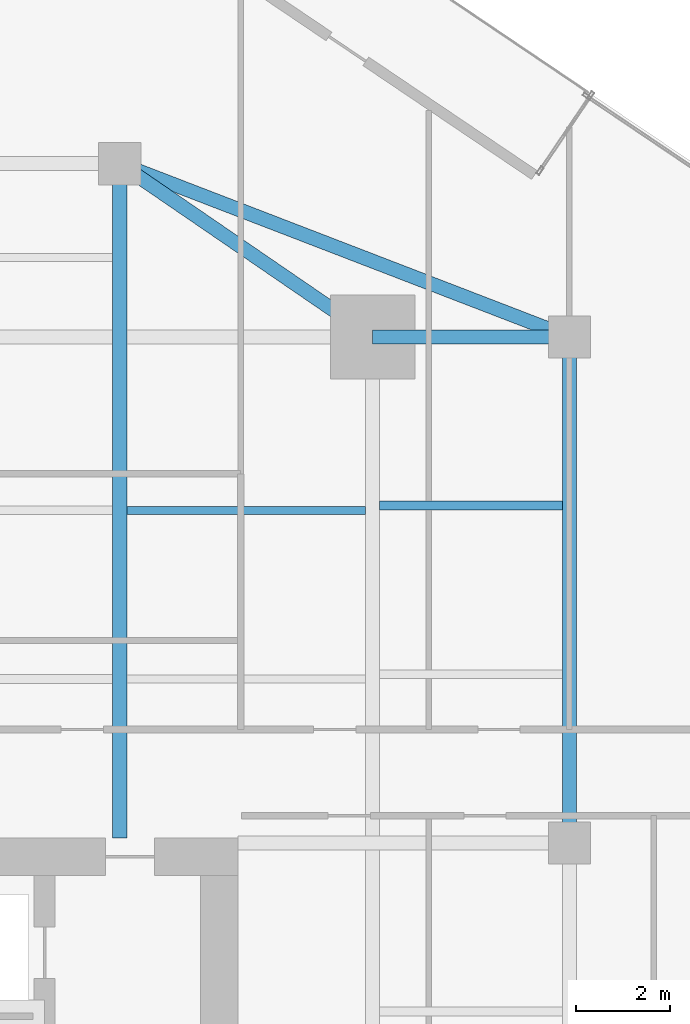
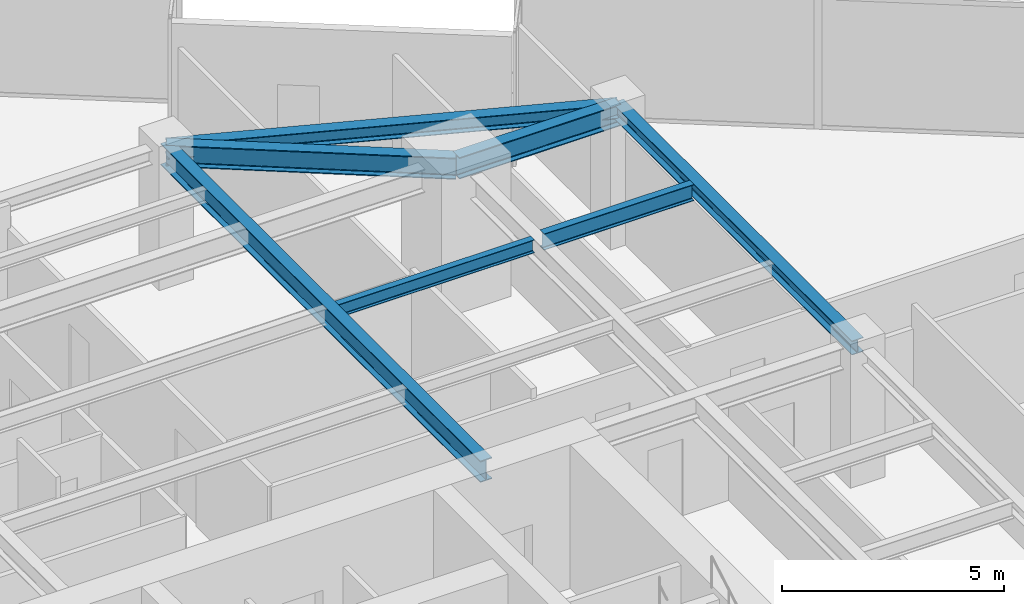
# One storey, part 18 of 27: 7 beams.
"""IFC4 building model written with IfcOpenShell, lengths in metres."""

import ifcopenshell
import ifcopenshell.guid

model = None  # the IFC model being written
_history = None  # IfcOwnerHistory: only IFC2X3 demands one
_inside = {}  # id of a spatial element -> (the spatial element, [elements in it])
_under = {}  # id of a project, library or spatial element -> (it, [spatial elements below it])
_declared = {}  # id of a project -> (the project, [libraries it declares])
_typed = {}  # id of a type object -> (the type object, [elements of that type])
_made_of = {}  # id of a material, layer set ... -> (it, [elements and type objects made of it])


def new_model(schema):
    """Start an empty IFC model of exactly this schema.

    Asked for "IFC4X3", IfcOpenShell would pick the latest addendum, in which some entities
    have other attributes; the version numbers below select the first issue.
    IFC2X3 requires an IfcOwnerHistory on every rooted entity: one is made here for all.
    """
    global model, _history
    if schema == "IFC4X3":
        model = ifcopenshell.file(schema_version=(4, 3, 0, 0))
    else:
        model = ifcopenshell.file(schema=schema)
    _inside.clear()
    _under.clear()
    _declared.clear()
    _typed.clear()
    _made_of.clear()
    _history = None
    if model.schema == "IFC2X3":
        org = make("IfcOrganization", Name="unknown")
        user = make(
            "IfcPersonAndOrganization",
            ThePerson=make("IfcPerson", FamilyName="unknown"),
            TheOrganization=org,
        )
        app = make(
            "IfcApplication",
            ApplicationDeveloper=org,
            Version="unknown",
            ApplicationFullName="unknown",
            ApplicationIdentifier="unknown",
        )
        _history = make(
            "IfcOwnerHistory",
            OwningUser=user,
            OwningApplication=app,
            ChangeAction="ADDED",
            CreationDate=0,
        )
    return model


def make(cls, **values):
    """One entity of the class cls with the attributes given. An attribute that is None is left unset."""
    return model.create_entity(
        cls, **{name: value for name, value in values.items() if value is not None}
    )


def rooted(cls, **values):
    """An entity with a GlobalId (a new one), such as an element, a storey or a relation."""
    return make(cls, GlobalId=ifcopenshell.guid.new(), OwnerHistory=_history, **values)


def si_unit(unit_type, name, prefix=None):
    """IfcSIUnit, for example si_unit("LENGTHUNIT", "METRE", prefix="MILLI")."""
    return make("IfcSIUnit", UnitType=unit_type, Prefix=prefix, Name=name)


def assignment(units):
    """IfcUnitAssignment: the units of a project."""
    return None if units is None else make("IfcUnitAssignment", Units=units)


def point(xyz):
    """IfcCartesianPoint."""
    return None if xyz is None else make("IfcCartesianPoint", Coordinates=xyz)


def direction(xyz):
    """IfcDirection."""
    return None if xyz is None else make("IfcDirection", DirectionRatios=xyz)


def frame(location, z_axis=None, x_axis=None):
    """IfcAxis2Placement3D, a coordinate frame: its origin and axes. An axis left out is left unset."""
    return make(
        "IfcAxis2Placement3D",
        Location=point(location),
        Axis=direction(z_axis),
        RefDirection=direction(x_axis),
    )


def frame_2d(location, x_axis=None):
    """IfcAxis2Placement2D, a coordinate frame in the plane: its origin and x axis."""
    return make(
        "IfcAxis2Placement2D", Location=point(location), RefDirection=direction(x_axis)
    )


def origin():
    """The frame at (0, 0, 0) with its axes left unset."""
    return frame((0.0, 0.0, 0.0))


def origin_2d():
    """The frame at (0, 0) in the plane with its x axis left unset."""
    return frame_2d((0.0, 0.0))


def place(relative_to, where):
    """IfcLocalPlacement: puts the frame where relative to a parent placement (None: the world)."""
    return make(
        "IfcLocalPlacement", PlacementRelTo=relative_to, RelativePlacement=where
    )


def context(
    kind, dimensions, precision=None, world=None, true_north=None, identifier=None
):
    """IfcGeometricRepresentationContext, for example the 3D "Model" context."""
    return make(
        "IfcGeometricRepresentationContext",
        ContextIdentifier=identifier,
        ContextType=kind,
        CoordinateSpaceDimension=dimensions,
        Precision=precision,
        WorldCoordinateSystem=world,
        TrueNorth=true_north,
    )


def subcontext(parent, identifier, kind, view, scale=None):
    """IfcGeometricRepresentationSubContext, for example "Body" below "Model"."""
    return make(
        "IfcGeometricRepresentationSubContext",
        ContextIdentifier=identifier,
        ContextType=kind,
        ParentContext=parent,
        TargetScale=scale,
        TargetView=view,
    )


def project(units=None, contexts=None):
    """IfcProject with its units and contexts."""
    return rooted(
        "IfcProject",
        Name="project",
        RepresentationContexts=contexts,
        UnitsInContext=assignment(units),
    )


def spatial(cls, under=None, at=None, **own):
    """A site, building, storey or space (cls), placed at a placement, below another one or the project."""
    s = rooted(cls, ObjectPlacement=at, **own)
    if under is not None:
        _under.setdefault(under.id(), (under, []))[1].append(s)
    return s


def profile(cls, at=None, kind="AREA", **sizes):
    """A parametric profile (cls). Its sizes go by their IFC names, for example OverallWidth=200.0."""
    return make(cls, ProfileType=kind, Position=at, **sizes)


def i_section(**sizes):
    """IfcIShapeProfileDef."""
    return profile("IfcIShapeProfileDef", **sizes)


def extrude(swept, where, along, depth):
    """IfcExtrudedAreaSolid: the profile swept, set in the frame where, extruded along a direction by depth."""
    return make(
        "IfcExtrudedAreaSolid",
        SweptArea=swept,
        Position=where,
        ExtrudedDirection=direction(along),
        Depth=depth,
    )


def shape(context_of_items, identifier, shape_type, items):
    """IfcShapeRepresentation: the items that make up one representation, for example the "Body"."""
    return make(
        "IfcShapeRepresentation",
        ContextOfItems=context_of_items,
        RepresentationIdentifier=identifier,
        RepresentationType=shape_type,
        Items=items,
    )


def source(mapping_origin, context_of_items, identifier, shape_type, items):
    """IfcRepresentationMap: a shape defined once, which mapped items show again and again."""
    return make(
        "IfcRepresentationMap",
        MappingOrigin=mapping_origin,
        MappedRepresentation=shape(context_of_items, identifier, shape_type, items),
    )


def transform(
    local_origin,
    x_axis=None,
    y_axis=None,
    z_axis=None,
    scale=None,
    scale2=None,
    scale3=None,
    uniform=True,
):
    """IfcCartesianTransformationOperator3D, or its non-uniform kind. x_axis, y_axis, z_axis: its Axis1, 2, 3."""
    if uniform:
        return make(
            "IfcCartesianTransformationOperator3D",
            Axis1=direction(x_axis),
            Axis2=direction(y_axis),
            LocalOrigin=point(local_origin),
            Scale=scale,
            Axis3=direction(z_axis),
        )
    return make(
        "IfcCartesianTransformationOperator3DnonUniform",
        Axis1=direction(x_axis),
        Axis2=direction(y_axis),
        LocalOrigin=point(local_origin),
        Scale=scale,
        Axis3=direction(z_axis),
        Scale2=scale2,
        Scale3=scale3,
    )


def mapped(mapping_source, mapping_target):
    """IfcMappedItem: shows the shape of a source again, moved by a transform."""
    return make(
        "IfcMappedItem", MappingSource=mapping_source, MappingTarget=mapping_target
    )


def material(Name=None, Category=None):
    """IfcMaterial."""
    return make("IfcMaterial", Name=Name, Category=Category)


def material_profile(
    of_material, cross_section, Name=None, Category=None, Priority=None
):
    """IfcMaterialProfile: a cross section and its material."""
    return make(
        "IfcMaterialProfile",
        Name=Name,
        Material=of_material,
        Profile=cross_section,
        Priority=Priority,
        Category=Category,
    )


def profile_set(profiles, Name=None, composite=None):
    """IfcMaterialProfileSet."""
    return make(
        "IfcMaterialProfileSet",
        Name=Name,
        MaterialProfiles=profiles,
        CompositeProfile=composite,
    )


def made_of(thing, what):
    """Note that an element or type object is made of a material, layer set ...; save() writes the relation."""
    if what is not None:
        _made_of.setdefault(what.id(), (what, []))[1].append(thing)
    return thing


def type_object(cls, material=None, **own):
    """A type object (cls), such as IfcWallType, which elements share."""
    return made_of(rooted(cls, **own), material)


def type_shapes(of_type, sources):
    """Give a type object the sources (RepresentationMaps) that its elements show as mapped items."""
    of_type.RepresentationMaps = sources


def element(
    cls,
    number,
    at=None,
    inside=None,
    cuts=None,
    type_object=None,
    material=None,
    context=None,
    identifier="Body",
    shape_type=None,
    held_by="IfcProductDefinitionShape",
    body=None,
    shapes=None,
    **own,
):
    """One element of the class cls, such as IfcWall. Its Tag is "e" and its number.

    at: its placement. inside: the storey or other place that contains it. cuts: it is an
    opening in that element (IfcRelVoidsElement). A single representation is given by context,
    identifier, shape_type and body (its items); several are given by shapes. held_by: the class
    of the entity that holds the representations. save() writes the other relations.
    """
    e = rooted(cls, Tag="e%d" % number, ObjectPlacement=at, **own)
    if body is not None:
        shapes = [shape(context, identifier, shape_type, body)]
    if shapes is not None:
        e.Representation = make(held_by, Representations=shapes)
    if inside is not None:
        _inside.setdefault(inside.id(), (inside, []))[1].append(e)
    if cuts is not None:
        rooted(
            "IfcRelVoidsElement", RelatingBuildingElement=cuts, RelatedOpeningElement=e
        )
    if type_object is not None:
        _typed.setdefault(type_object.id(), (type_object, []))[1].append(e)
    return made_of(e, material)


def aggregate(whole, parts):
    """IfcRelAggregates: a whole, such as a stair, and the parts it consists of."""
    return rooted("IfcRelAggregates", RelatingObject=whole, RelatedObjects=parts)


def save(model, path):
    """Write the relations noted so far, then the file.

    IfcRelAggregates (storeys below a building ...), IfcRelContainedInSpatialStructure (elements
    in a storey), IfcRelDefinesByType, IfcRelAssociatesMaterial and IfcRelDeclares: one each for
    every whole, place, type object, material and project.
    """
    for whole, parts in _under.values():
        aggregate(whole, parts)
    for where, things in _inside.values():
        rooted(
            "IfcRelContainedInSpatialStructure",
            RelatedElements=things,
            RelatingStructure=where,
        )
    for kind, things in _typed.values():
        rooted("IfcRelDefinesByType", RelatedObjects=things, RelatingType=kind)
    for what, things in _made_of.values():
        rooted("IfcRelAssociatesMaterial", RelatedObjects=things, RelatingMaterial=what)
    for by, libraries in _declared.values():
        rooted("IfcRelDeclares", RelatingContext=by, RelatedDefinitions=libraries)
    model.write(path)


model = new_model("IFC4")

# Units and contexts
model_context = context("Model", 3, precision=1e-05, world=origin(), true_north=direction((0.0, 1.0)))
body_context = subcontext(model_context, "Body", "Model", "MODEL_VIEW")
ifc_project = project(units=[si_unit("LENGTHUNIT", "METRE"), si_unit("AREAUNIT", "SQUARE_METRE"), si_unit("VOLUMEUNIT", "CUBIC_METRE"), si_unit("PLANEANGLEUNIT", "RADIAN"), si_unit("MASSUNIT", "GRAM", prefix="KILO")], contexts=[model_context])

# Site, building, storey
site_placement = place(None, origin())
site = spatial("IfcSite", under=ifc_project, at=site_placement, CompositionType="ELEMENT")
building_placement = place(site_placement, origin())
building = spatial("IfcBuilding", under=site, at=building_placement, Name="Krantzveldt Concourse Tower", CompositionType="ELEMENT")
storey_placement = place(building_placement, frame((0.0, 0.0, 185.699951171875)))
storey = spatial("IfcBuildingStorey", under=building, at=storey_placement, Name="L45", CompositionType="ELEMENT", Elevation=185.699951171875)

# Beams
ifc_material = material(Name="Steel S355JR", Category="steel")
ifc_material_profile_1 = material_profile(ifc_material, i_section(OverallWidth=0.300048828125, OverallDepth=0.590087890625, WebThickness=0.012939453125, FlangeThickness=0.02490234375, FilletRadius=0.027099609375, at=origin_2d()), Name="Steel S355JR", Category="steel")
ifc_profile_set_1 = profile_set([ifc_material_profile_1], Name="Steel S355JR - HEA 600")
beam_type_1 = type_object("IfcBeamType", Name="BM-B-HEA600", PredefinedType="BEAM", material=ifc_profile_set_1)
shared_shape_1 = source(origin(), body_context, "Body", "SweptSolid", [
    extrude(i_section(OverallWidth=0.300048828125, OverallDepth=0.590087890625, WebThickness=0.012939453125, FlangeThickness=0.02490234375, FilletRadius=0.027099609375, at=origin_2d()), origin(), (0.0, 0.0, 1.0), 14.39990234375),
])
beam_1_placement = place(storey_placement, frame((41.39990234375, 26.800048828125, 3.375), z_axis=(0.0, 1.0, 0.0), x_axis=(-1.0, 0.0, 0.0)))
element("IfcBeam", 1, at=beam_1_placement, inside=storey, type_object=beam_type_1, Name="L45 Tower Girder BG-CNE", PredefinedType="BEAM", context=body_context, shape_type="MappedRepresentation", body=[
    mapped(shared_shape_1, transform((0.0, 0.0, 0.0), x_axis=(1.0, 0.0, 0.0), y_axis=(0.0, 1.0, 0.0), z_axis=(0.0, 0.0, 1.0), scale=1.0)),
])
shared_shape_2 = source(origin(), body_context, "Body", "SweptSolid", [
    extrude(i_section(OverallWidth=0.300048828125, OverallDepth=0.590087890625, WebThickness=0.012939453125, FlangeThickness=0.02490234375, FilletRadius=0.027099609375, at=origin_2d()), origin(), (0.0, 0.0, 1.0), 4.199951171875),
])
beam_2_placement = place(storey_placement, frame((46.800048828125, 37.5, 3.375), z_axis=(1.0, 0.0, 0.0), x_axis=(0.0, 1.0, 0.0)))
element("IfcBeam", 2, at=beam_2_placement, inside=storey, type_object=beam_type_1, Name="L45 Tower Girder BR-RR3", PredefinedType="BEAM", context=body_context, shape_type="MappedRepresentation", body=[
    mapped(shared_shape_2, transform((0.0, 0.0, 0.0), x_axis=(1.0, 0.0, 0.0), y_axis=(0.0, 1.0, 0.0), z_axis=(0.0, 0.0, 1.0), scale=1.0)),
])
shared_shape_3 = source(origin(), body_context, "Body", "SweptSolid", [
    extrude(i_section(OverallWidth=0.300048828125, OverallDepth=0.590087890625, WebThickness=0.012939453125, FlangeThickness=0.02490234375, FilletRadius=0.027099609375, at=origin_2d()), origin(), (0.0, 0.0, 1.0), 6.546142578125),
])
type_shapes(beam_type_1, [shared_shape_1, shared_shape_2, shared_shape_3])
beam_3_placement = place(storey_placement, frame((46.800048828125, 37.5, 3.375), z_axis=(-0.824942999484, 0.565215930068, 0.0), x_axis=(-0.565215930068, -0.824942999484, 0.0)))
element("IfcBeam", 3, at=beam_3_placement, inside=storey, type_object=beam_type_1, Name="L45 Tower Girder BR-RR4", PredefinedType="BEAM", context=body_context, shape_type="MappedRepresentation", body=[
    mapped(shared_shape_3, transform((0.0, 0.0, 0.0), x_axis=(1.0, 0.0, 0.0), y_axis=(0.0, 1.0, 0.0), z_axis=(0.0, 0.0, 1.0), scale=1.0)),
])
ifc_material_profile_2 = material_profile(ifc_material, i_section(OverallWidth=0.300048828125, OverallDepth=0.389892578125, WebThickness=0.010986328125, FlangeThickness=0.01904296875, FilletRadius=0.027099609375, at=origin_2d()), Name="Steel S355JR", Category="steel")
ifc_profile_set_2 = profile_set([ifc_material_profile_2], Name="Steel S355JR - HEA 400")
beam_type_2 = type_object("IfcBeamType", Name="BM-SP-HEA400", PredefinedType="SPANDREL", material=ifc_profile_set_2)
shared_shape_4 = source(origin(), body_context, "Body", "SweptSolid", [
    extrude(i_section(OverallWidth=0.300048828125, OverallDepth=0.389892578125, WebThickness=0.010986328125, FlangeThickness=0.01904296875, FilletRadius=0.027099609375, at=origin_2d()), origin(), (0.0, 0.0, 1.0), 10.800048828125),
])
beam_4_placement = place(storey_placement, frame((51.0, 37.5, 3.47509765625), z_axis=(0.0, -1.0, 0.0), x_axis=(1.0, 0.0, 0.0)))
element("IfcBeam", 4, at=beam_4_placement, inside=storey, type_object=beam_type_2, Name="L45 Tower Girder SP-R06", PredefinedType="SPANDREL", context=body_context, shape_type="MappedRepresentation", body=[
    mapped(shared_shape_4, transform((0.0, 0.0, 0.0), x_axis=(1.0, 0.0, 0.0), y_axis=(0.0, 1.0, 0.0), z_axis=(0.0, 0.0, 1.0), scale=1.0)),
])
shared_shape_5 = source(origin(), body_context, "Body", "SweptSolid", [
    extrude(i_section(OverallWidth=0.300048828125, OverallDepth=0.389892578125, WebThickness=0.010986328125, FlangeThickness=0.01904296875, FilletRadius=0.027099609375, at=origin_2d()), origin(), (0.0, 0.0, 1.0), 10.288330078125),
])
type_shapes(beam_type_2, [shared_shape_4, shared_shape_5])
beam_5_placement = place(storey_placement, frame((41.39990234375, 41.199951171875, 3.47509765625), z_axis=(0.933097690408, -0.359622997257, 0.0), x_axis=(0.359622997257, 0.933097690408, 0.0)))
element("IfcBeam", 5, at=beam_5_placement, inside=storey, type_object=beam_type_2, Name="L45 Tower Girder SP-R05", PredefinedType="SPANDREL", context=body_context, shape_type="MappedRepresentation", body=[
    mapped(shared_shape_5, transform((0.0, 0.0, 0.0), x_axis=(1.0, 0.0, 0.0), y_axis=(0.0, 1.0, 0.0), z_axis=(0.0, 0.0, 1.0), scale=1.0)),
])
ifc_material_profile_3 = material_profile(ifc_material, i_section(OverallWidth=0.169921875, OverallDepth=0.360107421875, WebThickness=0.008056640625, FlangeThickness=0.0126953125, FilletRadius=0.01806640625, at=origin_2d()), Name="Steel S355JR", Category="steel")
ifc_profile_set_3 = profile_set([ifc_material_profile_3], Name="Steel S355JR - IPE 360")
beam_type_3 = type_object("IfcBeamType", Name="BM-J-IPE360", PredefinedType="JOIST", material=ifc_profile_set_3)
shared_shape_6 = source(origin(), body_context, "Body", "SweptSolid", [
    extrude(i_section(OverallWidth=0.169921875, OverallDepth=0.360107421875, WebThickness=0.008056640625, FlangeThickness=0.0126953125, FilletRadius=0.01806640625, at=origin_2d()), origin(), (0.0, 0.0, 1.0), 5.099853515625),
])
type_shapes(beam_type_3, [shared_shape_6])
beam_6_placement = place(storey_placement, frame((41.550048828125, 33.800048828125, 3.489990234375), z_axis=(1.0, 0.0, 0.0), x_axis=(0.0, 1.0, 0.0)))
element("IfcBeam", 6, at=beam_6_placement, inside=storey, type_object=beam_type_3, Name="L45 Secondary Floor Joist JN-E2", PredefinedType="JOIST", context=body_context, shape_type="MappedRepresentation", body=[
    mapped(shared_shape_6, transform((0.0, 0.0, 0.0), x_axis=(1.0, 0.0, 0.0), y_axis=(0.0, 1.0, 0.0), z_axis=(0.0, 0.0, 1.0), scale=1.0)),
])
ifc_material_profile_4 = material_profile(ifc_material, i_section(OverallWidth=0.18994140625, OverallDepth=0.449951171875, WebThickness=0.009521484375, FlangeThickness=0.0146484375, FilletRadius=0.02099609375, at=origin_2d()), Name="Steel S355JR", Category="steel")
ifc_profile_set_4 = profile_set([ifc_material_profile_4], Name="Steel S355JR - IPE 450")
beam_type_4 = type_object("IfcBeamType", Name="BM-J-IPE450", PredefinedType="JOIST", material=ifc_profile_set_4)
shared_shape_7 = source(origin(), body_context, "Body", "SweptSolid", [
    extrude(i_section(OverallWidth=0.18994140625, OverallDepth=0.449951171875, WebThickness=0.009521484375, FlangeThickness=0.0146484375, FilletRadius=0.02099609375, at=origin_2d()), origin(), (0.0, 0.0, 1.0), 3.900146484375),
])
type_shapes(beam_type_4, [shared_shape_7])
beam_7_placement = place(storey_placement, frame((46.949951171875, 33.89990234375, 3.445068359375), z_axis=(1.0, 0.0, 0.0), x_axis=(0.0, 1.0, 0.0)))
element("IfcBeam", 7, at=beam_7_placement, inside=storey, type_object=beam_type_4, Name="L45 Secondary Floor Joist JE-4", PredefinedType="JOIST", context=body_context, shape_type="MappedRepresentation", body=[
    mapped(shared_shape_7, transform((0.0, 0.0, 0.0), x_axis=(1.0, 0.0, 0.0), y_axis=(0.0, 1.0, 0.0), z_axis=(0.0, 0.0, 1.0), scale=1.0)),
])

save(model, "model.ifc")
